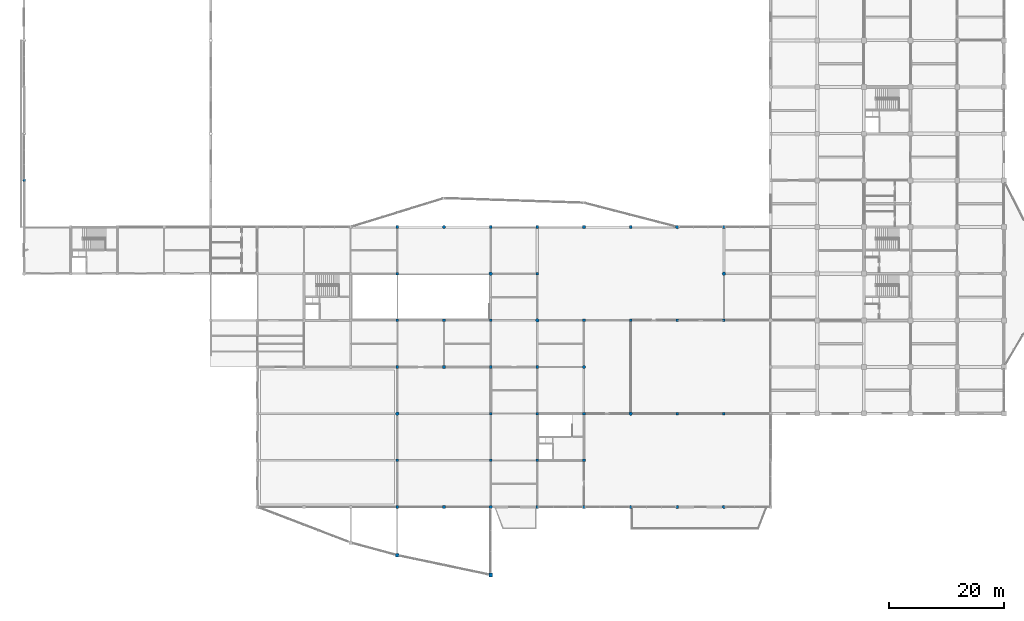
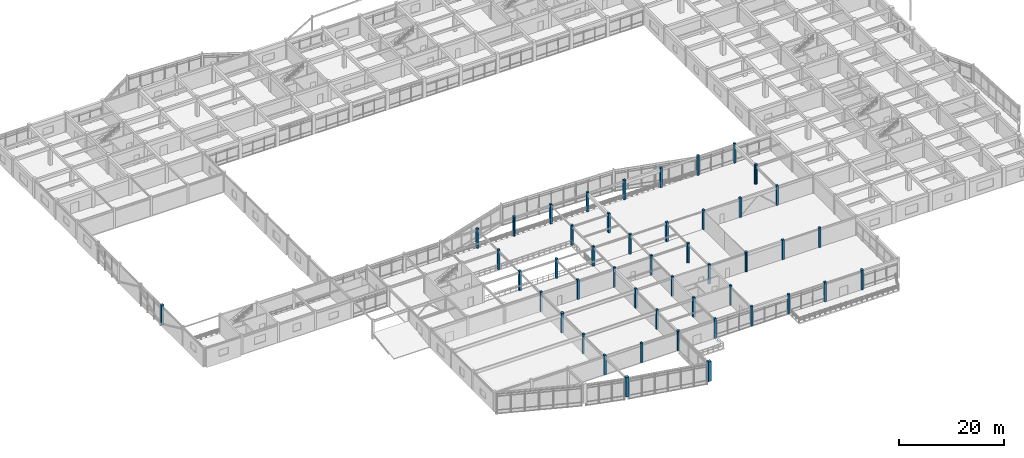
# One storey, part 4 of 93: 47 columns.
"""IFC4 building model written with IfcOpenShell, lengths in metres."""

from ifc_helpers import new_model, si_unit, direction, frame, origin, origin_2d, place, context, subcontext, project, spatial, rectangle, circle, extrude, material, material_profile, profile_set, type_object, element, save


model = new_model("IFC4")

# Units and contexts
model_context = context("Model", 3, precision=1e-05, world=origin(), true_north=direction((0.0, 1.0)))
body_context = subcontext(model_context, "Body", "Model", "MODEL_VIEW")
ifc_project = project(units=[si_unit("LENGTHUNIT", "METRE"), si_unit("AREAUNIT", "SQUARE_METRE"), si_unit("VOLUMEUNIT", "CUBIC_METRE"), si_unit("PLANEANGLEUNIT", "RADIAN"), si_unit("MASSUNIT", "GRAM", prefix="KILO")], contexts=[model_context])

# Site, building, storey
site_placement = place(None, origin())
site = spatial("IfcSite", under=ifc_project, at=site_placement, CompositionType="ELEMENT")
building_placement = place(site_placement, origin())
building = spatial("IfcBuilding", under=site, at=building_placement, Name="Vaudrelin Polytechnic", CompositionType="ELEMENT")
storey_placement = place(building_placement, frame((0.0, 0.0, 5.10009765625)))
storey = spatial("IfcBuildingStorey", under=building, at=storey_placement, Name="L01", CompositionType="ELEMENT", Elevation=5.10009765625)

# Columns
ifc_material = material(Name="Concrete 40 MPa", Category="concrete")
ifc_material_profile_1 = material_profile(ifc_material, rectangle(XDim=0.449951171875, YDim=0.449951171875, at=origin_2d()), Name="RC450x450")
ifc_profile_set_1 = profile_set([ifc_material_profile_1], Name="Concrete 40 MPa")
column_type_1 = type_object("IfcColumnType", Name="COL-C-RC450", PredefinedType="COLUMN", material=ifc_profile_set_1)
for number, where, z_axis, x_axis, name in (
    (1, (0.0, 56.699951171875, 0.0), (0.0, 0.0, 1.0), (1.0, 0.0, 0.0), "Column L01 1-8"),
    (2, (64.800048828125, 0.0, 0.0), (0.0, 0.0, 1.0), (1.0, 0.0, 0.0), "Column L01 9-1"),
    (3, (64.800048828125, 8.10009765625, 0.0), (0.0, 0.0, 1.0), (1.0, 0.0, 0.0), "Column L01 9-2"),
    (4, (64.800048828125, 24.300048828125, 0.0), (0.0, 0.0, 1.0), (1.0, 0.0, 0.0), "Column L01 9-4"),
    (5, (64.800048828125, 32.39990234375, 0.0), (0.0, 0.0, 1.0), (1.0, 0.0, 0.0), "Column L01 9-5"),
    (6, (64.800048828125, 40.5, 0.0), (0.0, 0.0, 1.0), (1.0, 0.0, 0.0), "Column L01 9-6"),
    (7, (64.800048828125, 48.60009765625, 0.0), (0.0, 0.0, 1.0), (1.0, 0.0, 0.0), "Column L01 9-7"),
    (8, (72.89990234375, 0.0, 0.0), (0.0, 0.0, 1.0), (1.0, 0.0, 0.0), "Column L01 10-1"),
    (9, (72.89990234375, 24.300048828125, 0.0), (0.0, 0.0, 1.0), (1.0, 0.0, 0.0), "Column L01 10-4"),
    (10, (72.89990234375, 32.39990234375, 0.0), (0.0, 0.0, 1.0), (1.0, 0.0, 0.0), "Column L01 10-5"),
    (11, (81.0, 8.10009765625, 0.0), (0.0, 0.0, 1.0), (1.0, 0.0, 0.0), "Column L01 11-2"),
    (12, (81.0, 16.199951171875, 0.0), (0.0, 0.0, 1.0), (1.0, 0.0, 0.0), "Column L01 11-3"),
    (13, (81.0, 24.300048828125, 0.0), (0.0, 0.0, 1.0), (1.0, 0.0, 0.0), "Column L01 11-4"),
    (14, (81.0, 32.39990234375, 0.0), (0.0, 0.0, 1.0), (1.0, 0.0, 0.0), "Column L01 11-5"),
    (15, (81.0, 48.60009765625, 0.0), (0.0, 0.0, 1.0), (1.0, 0.0, 0.0), "Column L01 11-7"),
    (16, (89.10009765625, 0.0, 0.0), (0.0, 0.0, 1.0), (1.0, 0.0, 0.0), "Column L01 12-1"),
    (17, (89.10009765625, 8.10009765625, 0.0), (0.0, 0.0, 1.0), (1.0, 0.0, 0.0), "Column L01 12-2"),
    (18, (89.10009765625, 16.199951171875, 0.0), (0.0, 0.0, 1.0), (1.0, 0.0, 0.0), "Column L01 12-3"),
    (19, (89.10009765625, 24.300048828125, 0.0), (0.0, 0.0, 1.0), (1.0, 0.0, 0.0), "Column L01 12-4"),
    (20, (89.10009765625, 40.5, 0.0), (0.0, 0.0, 1.0), (1.0, 0.0, 0.0), "Column L01 12-6"),
    (21, (89.10009765625, 48.60009765625, 0.0), (0.0, 0.0, 1.0), (1.0, 0.0, 0.0), "Column L01 12-7"),
    (22, (97.199951171875, 0.0, 0.0), (0.0, 0.0, 1.0), (1.0, 0.0, 0.0), "Column L01 13-1"),
    (23, (97.199951171875, 8.10009765625, 0.0), (0.0, 0.0, 1.0), (1.0, 0.0, 0.0), "Column L01 13-2"),
    (24, (97.199951171875, 16.199951171875, 0.0), (0.0, 0.0, 1.0), (1.0, 0.0, 0.0), "Column L01 13-3"),
    (25, (97.199951171875, 32.39990234375, 0.0), (0.0, 0.0, 1.0), (1.0, 0.0, 0.0), "Column L01 13-5"),
    (26, (97.199951171875, 48.60009765625, 0.0), (0.0, 0.0, 1.0), (1.0, 0.0, 0.0), "Column L01 13-7"),
    (27, (105.300048828125, 0.0, 0.0), (0.0, 0.0, 1.0), (1.0, 0.0, 0.0), "Column L01 14-1"),
    (28, (105.300048828125, 32.39990234375, 0.0), (0.0, 0.0, 1.0), (1.0, 0.0, 0.0), "Column L01 14-5"),
    (29, (105.300048828125, 48.60009765625, 0.0), (0.0, 0.0, 1.0), (1.0, 0.0, 0.0), "Column L01 14-7"),
    (30, (113.39990234375, 0.0, 0.0), (0.0, 0.0, 1.0), (1.0, 0.0, 0.0), "Column L01 15-1"),
    (31, (113.39990234375, 16.199951171875, 0.0), (0.0, 0.0, 1.0), (1.0, 0.0, 0.0), "Column L01 15-3"),
    (32, (113.39990234375, 32.39990234375, 0.0), (0.0, 0.0, 1.0), (1.0, 0.0, 0.0), "Column L01 15-5"),
    (33, (121.5, 16.199951171875, 0.0), (0.0, 0.0, 1.0), (1.0, 0.0, 0.0), "Column L01 16-3"),
    (34, (121.5, 32.39990234375, 0.0), (0.0, 0.0, 1.0), (1.0, 0.0, 0.0), "Column L01 16-5"),
    (35, (121.5, 48.60009765625, 0.0), (0.0, 0.0, 1.0), (1.0, 0.0, 0.0), "Column L01 16-7"),
):
    element("IfcColumn", number, at=place(storey_placement, frame(where, z_axis=z_axis, x_axis=x_axis)), inside=storey, type_object=column_type_1, Name=name, PredefinedType="COLUMN", context=body_context, shape_type="SweptSolid", body=[
        extrude(rectangle(XDim=0.449951171875, YDim=0.449951171875, at=origin_2d()), origin(), (0.0, 0.0, 1.0), 4.58984375),
    ])
ifc_material_profile_2 = material_profile(ifc_material, rectangle(XDim=0.64990234375, YDim=0.64990234375, at=origin_2d()), Name="RC650x650")
ifc_profile_set_2 = profile_set([ifc_material_profile_2], Name="Concrete 40 MPa")
column_type_2 = type_object("IfcColumnType", Name="COL-C-RC650", PredefinedType="COLUMN", material=ifc_profile_set_2)
for number, where, z_axis, x_axis, name in (
    (36, (64.800048828125, -8.39990234375, 0.0), (0.0, 0.0, 1.0), (1.0, 0.0, 0.0), "Deconstructivist column L01 V2P_8"),
    (37, (81.0, -11.800048828125, 0.0), (0.0, 0.0, 1.0), (1.0, 0.0, 0.0), "Deconstructivist column L01 V2P_10"),
):
    element("IfcColumn", number, at=place(storey_placement, frame(where, z_axis=z_axis, x_axis=x_axis)), inside=storey, type_object=column_type_2, Name=name, PredefinedType="COLUMN", context=body_context, shape_type="SweptSolid", body=[
        extrude(rectangle(XDim=0.64990234375, YDim=0.64990234375, at=origin_2d()), origin(), (0.0, 0.0, 1.0), 4.58984375),
    ])
ifc_material_profile_3 = material_profile(ifc_material, circle(Radius=0.300048828125, at=origin_2d()), Name="RCCOL600")
ifc_profile_set_3 = profile_set([ifc_material_profile_3], Name="Concrete 40 MPa")
column_type_3 = type_object("IfcColumnType", Name="COL-C-RCD600", PredefinedType="COLUMN", material=ifc_profile_set_3)
for number, where, z_axis, x_axis, name in (
    (38, (64.800048828125, 16.199951171875, 0.0), (0.0, 0.0, 1.0), (1.0, 0.0, 0.0), "Column L01 9-3"),
    (39, (72.89990234375, 48.60009765625, 0.0), (0.0, 0.0, 1.0), (1.0, 0.0, 0.0), "Column L01 10-7"),
    (40, (81.0, 0.0, 0.0), (0.0, 0.0, 1.0), (1.0, 0.0, 0.0), "Column L01 11-1"),
    (41, (81.0, 40.5, 0.0), (0.0, 0.0, 1.0), (1.0, 0.0, 0.0), "Column L01 11-6"),
    (42, (89.10009765625, 32.39990234375, 0.0), (0.0, 0.0, 1.0), (1.0, 0.0, 0.0), "Column L01 12-5"),
    (43, (97.199951171875, 24.300048828125, 0.0), (0.0, 0.0, 1.0), (1.0, 0.0, 0.0), "Column L01 13-4"),
    (44, (105.300048828125, 16.199951171875, 0.0), (0.0, 0.0, 1.0), (1.0, 0.0, 0.0), "Column L01 14-3"),
    (45, (113.39990234375, 48.60009765625, 0.0), (0.0, 0.0, 1.0), (1.0, 0.0, 0.0), "Column L01 15-7"),
    (46, (121.5, 0.0, 0.0), (0.0, 0.0, 1.0), (1.0, 0.0, 0.0), "Column L01 16-1"),
    (47, (121.5, 40.5, 0.0), (0.0, 0.0, 1.0), (1.0, 0.0, 0.0), "Column L01 16-6"),
):
    element("IfcColumn", number, at=place(storey_placement, frame(where, z_axis=z_axis, x_axis=x_axis)), inside=storey, type_object=column_type_3, Name=name, PredefinedType="COLUMN", context=body_context, shape_type="SweptSolid", body=[
        extrude(circle(Radius=0.300048828125, at=origin_2d()), origin(), (0.0, 0.0, 1.0), 4.58984375),
    ])

save(model, "model.ifc")
